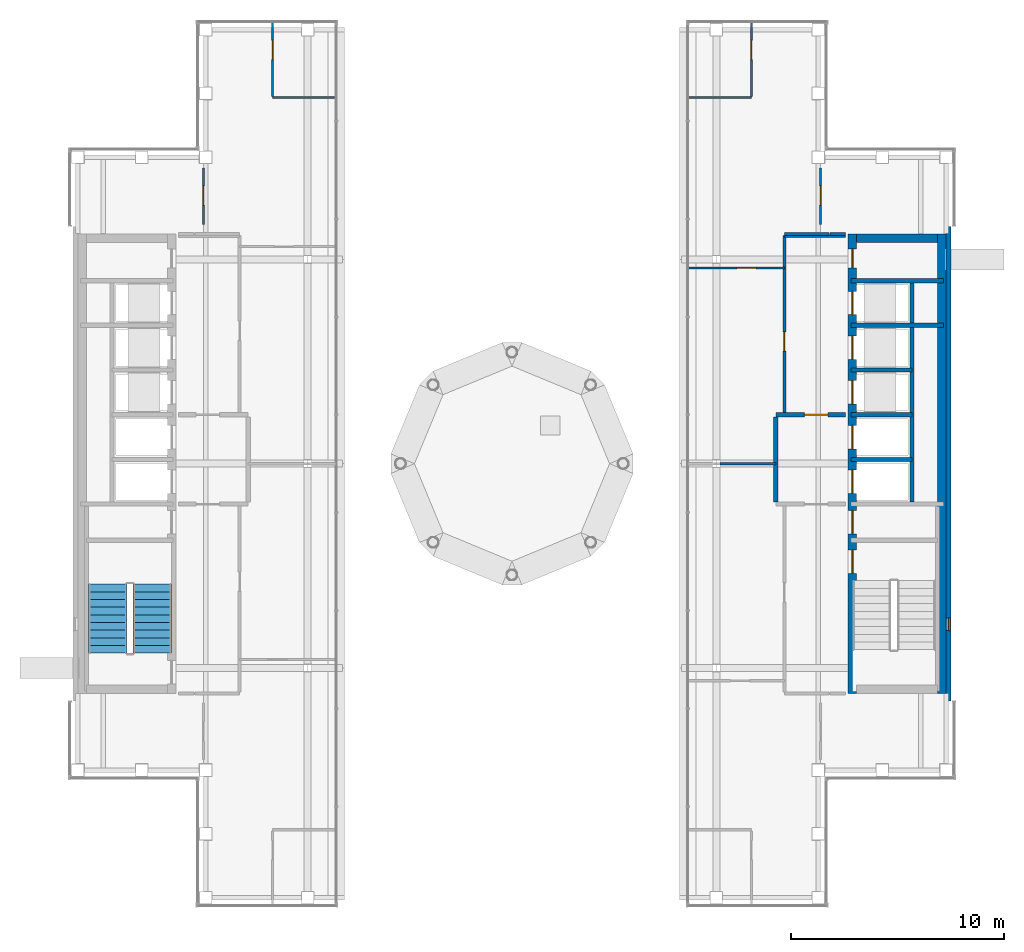
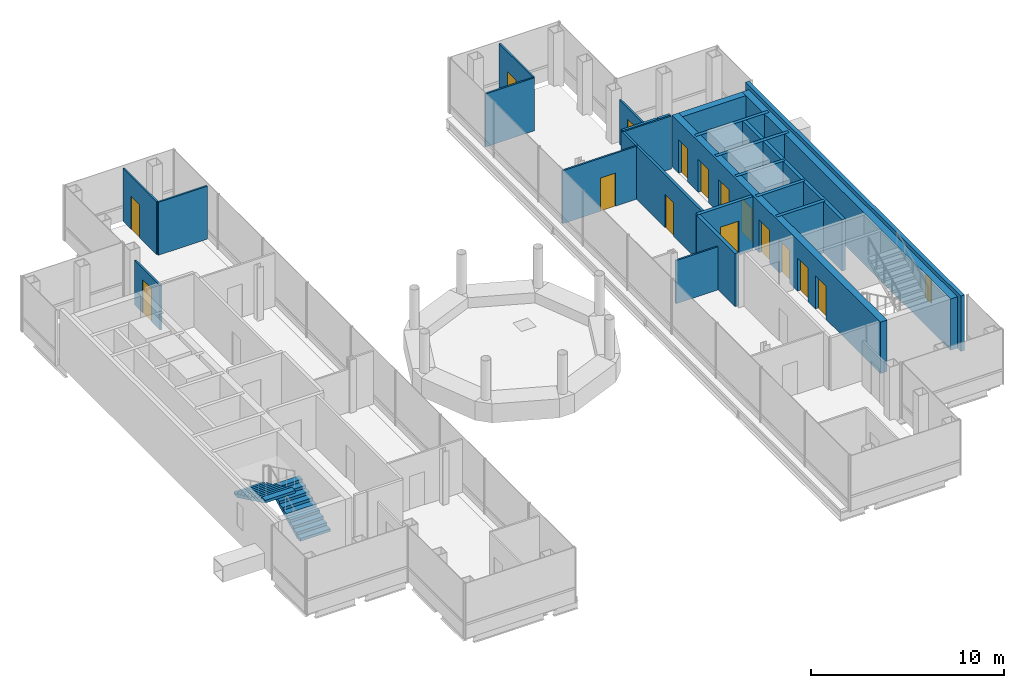
# One storey, part 13 of 16: 25 walls, 15 doors, 2 stair flights, 1 window, 16 openings, 1 element without a shape of its own.
"""IFC4 building model written with IfcOpenShell, lengths in metres."""

from ifc_helpers import new_model, si_unit, direction, frame, frame_2d, origin, place, context, subcontext, project, spatial, polyline, rectangle, outline, extrude, material, layer, layer_set, type_object, element, fill, aggregate, save


model = new_model("IFC4")

# Units and contexts
model_context = context("Model", 3, precision=1e-05, world=origin(), true_north=direction((0.0, 1.0)))
body_context = subcontext(model_context, "Body", "Model", "MODEL_VIEW")
ifc_project = project(units=[si_unit("LENGTHUNIT", "METRE"), si_unit("AREAUNIT", "SQUARE_METRE"), si_unit("VOLUMEUNIT", "CUBIC_METRE"), si_unit("PLANEANGLEUNIT", "RADIAN"), si_unit("MASSUNIT", "GRAM", prefix="KILO")], contexts=[model_context])

# Site, building, storey
site_placement = place(None, origin())
site = spatial("IfcSite", under=ifc_project, at=site_placement, CompositionType="ELEMENT")
building_placement = place(site_placement, origin())
building = spatial("IfcBuilding", under=site, at=building_placement, Name="Cobrizo Arcos Hotel Tower", CompositionType="ELEMENT")
storey_placement = place(building_placement, frame((0.0, 0.0, 272.5)))
storey = spatial("IfcBuildingStorey", under=building, at=storey_placement, Name="L72", CompositionType="ELEMENT", Elevation=272.5)

# Walls
ifc_material_1 = material(Name="Gypsum board partition")
ifc_layer_1 = layer(ifc_material_1, 0.14990234375)
ifc_layer_set_1 = layer_set([ifc_layer_1], Name="Corridor wall EI 60 150")
wall_type_1 = type_object("IfcWallType", Name="Corridor wall EI 60 150", PredefinedType="PARTITIONING", material=ifc_layer_set_1)
wall_1_placement = place(storey_placement, frame((12.800048828125, 10.699951171875, 0.0), z_axis=(0.0, 0.0, 1.0), x_axis=(1.0, 0.0, 0.0)))
element("IfcWall", 1, at=wall_1_placement, inside=storey, type_object=wall_type_1, Name="Partition 034", PredefinedType="PARTITIONING", context=body_context, shape_type="SweptSolid", body=[
    extrude(rectangle(XDim=2.8798828125, YDim=0.14990234375, at=frame_2d((1.43994140625, 0.0))), origin(), (0.0, 0.0, 1.0), 3.35009765625),
])
wall_2_placement = place(storey_placement, frame((12.800048828125, 10.800048828125, 0.0), z_axis=(0.0, 0.0, 1.0), x_axis=(1.0, 0.0, 0.0)))
element("IfcWall", 2, at=wall_2_placement, inside=storey, type_object=wall_type_1, Name="Partition 037", PredefinedType="PARTITIONING", context=body_context, shape_type="SweptSolid", body=[
    extrude(rectangle(XDim=2.099853515625, YDim=0.14990234375, at=frame_2d((1.0498046875, 0.0))), origin(), (0.0, 0.0, 1.0), 3.35009765625),
])
wall_3_placement = place(storey_placement, frame((14.949951171875, 10.800048828125, 0.0), z_axis=(0.0, 0.0, 1.0), x_axis=(1.0, 0.0, 0.0)))
element("IfcWall", 3, at=wall_3_placement, inside=storey, type_object=wall_type_1, Name="Partition 038", PredefinedType="PARTITIONING", context=body_context, shape_type="SweptSolid", body=[
    extrude(rectangle(XDim=0.72998046875, YDim=0.14990234375, at=frame_2d((0.364990234375, 0.0))), origin(), (0.0, 0.0, 1.0), 3.35009765625),
])

# Wall, opening, door
wall_4_placement = place(storey_placement, frame((12.800048828125, 2.39990234375, 0.0), z_axis=(0.0, 0.0, 1.0), x_axis=(0.0, 1.0, 0.0)))
wall_4 = element("IfcWall", 4, at=wall_4_placement, inside=storey, type_object=wall_type_1, Name="Partition 055", PredefinedType="PARTITIONING", context=body_context, shape_type="SweptSolid", body=[
    extrude(rectangle(XDim=8.3251953125, YDim=0.14990234375, at=frame_2d((4.16259765625, 0.0))), origin(), (0.0, 0.0, 1.0), 3.35009765625),
])
opening_1_placement = place(wall_4_placement, frame((2.889892578125, 0.0, 0.0)))
opening_1 = element("IfcOpeningElement", 5, at=opening_1_placement, cuts=wall_4, Name="Opening RD-03", PredefinedType="OPENING", context=body_context, shape_type="SweptSolid", body=[
    extrude(rectangle(XDim=0.89990234375, YDim=2.10009765625, at=frame_2d((0.449951171875, 1.050048828125))), frame((0.0, 0.0869140625, 0.0), z_axis=(0.0, -1.0, 0.0), x_axis=(1.0, 0.0, 0.0)), (0.0, 0.0, 1.0), 0.173828125),
])
ifc_material_2 = material(Name="Timber door leaf", Category="wood")
door_type_1 = type_object("IfcDoorType", Name="Room door FD30 900x2100", OperationType="SINGLE_SWING_LEFT", PredefinedType="DOOR", material=ifc_material_2)
door_1_placement = place(opening_1_placement, origin())
door_1 = element("IfcDoor", 6, at=door_1_placement, inside=storey, type_object=door_type_1, Name="Door RD-03", OperationType="SINGLE_SWING_LEFT", OverallHeight=2.10009765625, OverallWidth=0.89990234375, PredefinedType="DOOR", context=body_context, shape_type="SweptSolid", body=[
    extrude(rectangle(XDim=0.89990234375, YDim=2.10009765625, at=frame_2d((0.449951171875, 1.050048828125))), frame((0.0, 0.02490234375, 0.0), z_axis=(0.0, -1.0, 0.0), x_axis=(1.0, 0.0, 0.0)), (0.0, 0.0, 1.0), 0.050048828125),
])
fill(opening_1, door_1)

# Wall, opening, window
ifc_material_3 = material(Name="Aluminium composite panel pale metal", Category="aluminium")
ifc_layer_2 = layer(ifc_material_3, 0.22509765625)
ifc_layer_set_2 = layer_set([ifc_layer_2], Name="EW-1 insulated panel wall 225")
wall_type_2 = type_object("IfcWallType", Name="EW-1 insulated panel wall 225", PredefinedType="SOLIDWALL", material=ifc_layer_set_2)
wall_5_placement = place(storey_placement, frame((20.512451171875, -11.14990234375, 0.0), z_axis=(0.0, 0.0, 1.0), x_axis=(0.0, 1.0, 0.0)))
wall_5 = element("IfcWall", 7, at=wall_5_placement, inside=storey, type_object=wall_type_2, Name="Core face wall L72 E", PredefinedType="SOLIDWALL", context=body_context, shape_type="SweptSolid", body=[
    extrude(rectangle(XDim=22.2998046875, YDim=0.22509765625, at=frame_2d((11.14990234375, 0.0))), origin(), (0.0, 0.0, 1.0), 3.5),
])
opening_2_placement = place(wall_5_placement, frame((3.300048828125, 0.0, 1.0)))
opening_2 = element("IfcOpeningElement", 8, at=opening_2_placement, cuts=wall_5, Name="Opening W-163", PredefinedType="OPENING", context=body_context, shape_type="SweptSolid", body=[
    extrude(rectangle(XDim=0.60009765625, YDim=1.5, at=frame_2d((0.300048828125, 0.75))), frame((0.0, 0.12451171875, 0.0), z_axis=(0.0, -1.0, 0.0), x_axis=(1.0, 0.0, 0.0)), (0.0, 0.0, 1.0), 0.2490234375),
])
ifc_material_4 = material(Name="Aluminium 6063-T6 and clear laminated glass", Category="aluminium")
window_type = type_object("IfcWindowType", Name="W-C1 core stair slot window 600x1500", PartitioningType="SINGLE_PANEL", PredefinedType="WINDOW", material=ifc_material_4)
window_placement = place(opening_2_placement, origin())
window = element("IfcWindow", 9, at=window_placement, inside=storey, type_object=window_type, Name="Core face wall L72 E window W-163", OverallHeight=1.5, OverallWidth=0.60009765625, PartitioningType="SINGLE_PANEL", PredefinedType="WINDOW", context=body_context, shape_type="SweptSolid", body=[
    extrude(rectangle(XDim=0.60009765625, YDim=1.5, at=frame_2d((0.300048828125, 0.75))), frame((0.0, -0.0224609375, 0.0), z_axis=(0.0, -1.0, 0.0), x_axis=(1.0, 0.0, 0.0)), (0.0, 0.0, 1.0), 0.06005859375),
])
fill(opening_2, window)

# Wall
ifc_layer_3 = layer(ifc_material_1, 0.10009765625)
ifc_layer_set_3 = layer_set([ifc_layer_3], Name="Partition EI 30 100")
wall_type_3 = type_object("IfcWallType", Name="Partition EI 30 100", PredefinedType="PARTITIONING", material=ifc_layer_set_3)
wall_6_placement = place(storey_placement, frame((9.783935546875, 0.0, 0.0), z_axis=(0.0, 0.0, 1.0), x_axis=(1.0, 0.0, 0.0)))
element("IfcWall", 10, at=wall_6_placement, inside=storey, type_object=wall_type_3, Name="Partition 018", PredefinedType="PARTITIONING", context=body_context, shape_type="SweptSolid", body=[
    extrude(rectangle(XDim=2.615966796875, YDim=0.10009765625, at=frame_2d((1.30810546875, 0.0))), origin(), (0.0, 0.0, 1.0), 2.72802734375),
])

# Wall, opening, door
wall_7_placement = place(storey_placement, frame((8.304931640625, 9.199951171875, 0.0), z_axis=(0.0, 0.0, 1.0), x_axis=(1.0, 0.0, 0.0)))
wall_7 = element("IfcWall", 11, at=wall_7_placement, inside=storey, type_object=wall_type_3, Name="Partition 031", PredefinedType="PARTITIONING", context=body_context, shape_type="SweptSolid", body=[
    extrude(rectangle(XDim=4.4951171875, YDim=0.10009765625, at=frame_2d((2.24755859375, 0.0))), origin(), (0.0, 0.0, 1.0), 3.35009765625),
])
opening_3_placement = place(wall_7_placement, frame((2.262939453125, 0.0, 0.0)))
opening_3 = element("IfcOpeningElement", 12, at=opening_3_placement, cuts=wall_7, Name="Opening RD-04", PredefinedType="OPENING", context=body_context, shape_type="SweptSolid", body=[
    extrude(rectangle(XDim=0.89990234375, YDim=2.10009765625, at=frame_2d((0.449951171875, 1.050048828125))), frame((0.0, 0.06201171875, 0.0), z_axis=(0.0, -1.0, 0.0), x_axis=(1.0, 0.0, 0.0)), (0.0, 0.0, 1.0), 0.1240234375),
])
door_2_placement = place(opening_3_placement, origin())
door_2 = element("IfcDoor", 13, at=door_2_placement, inside=storey, type_object=door_type_1, Name="Door RD-04", OperationType="SINGLE_SWING_LEFT", OverallHeight=2.10009765625, OverallWidth=0.89990234375, PredefinedType="DOOR", context=body_context, shape_type="SweptSolid", body=[
    extrude(rectangle(XDim=0.89990234375, YDim=2.10009765625, at=frame_2d((0.449951171875, 1.050048828125))), frame((0.0, 0.02490234375, 0.0), z_axis=(0.0, -1.0, 0.0), x_axis=(1.0, 0.0, 0.0)), (0.0, 0.0, 1.0), 0.050048828125),
])
fill(opening_3, door_2)

# Walls
for number, where, z_axis, x_axis, name in (
    (14, (-11.25, 17.199951171875, 0.0), (0.0, 0.0, 1.0), (1.0, 0.0, 0.0), "Partition 039"),
    (15, (8.304931640625, 17.199951171875, 0.0), (0.0, 0.0, 1.0), (1.0, 0.0, 0.0), "Partition 040"),
):
    element("IfcWall", number, at=place(storey_placement, frame(where, z_axis=z_axis, x_axis=x_axis)), inside=storey, type_object=wall_type_3, Name=name, PredefinedType="PARTITIONING", context=body_context, shape_type="SweptSolid", body=[
        extrude(rectangle(XDim=2.945068359375, YDim=0.10009765625, at=frame_2d((1.47265625, 0.0))), origin(), (0.0, 0.0, 1.0), 3.35009765625),
    ])

# Wall, opening, door
wall_8_placement = place(storey_placement, frame((-14.5, 11.25, 0.0), z_axis=(0.0, 0.0, 1.0), x_axis=(0.0, 1.0, 0.0)))
wall_8 = element("IfcWall", 16, at=wall_8_placement, inside=storey, type_object=wall_type_3, Name="Partition 045", PredefinedType="PARTITIONING", context=body_context, shape_type="SweptSolid", body=[
    extrude(rectangle(XDim=2.64990234375, YDim=0.10009765625, at=frame_2d((1.324951171875, 0.0))), origin(), (0.0, 0.0, 1.0), 2.81689453125),
])
opening_4_placement = place(wall_8_placement, frame((0.89990234375, 0.0, 0.0)))
opening_4 = element("IfcOpeningElement", 17, at=opening_4_placement, cuts=wall_8, Name="Opening RD-11", PredefinedType="OPENING", context=body_context, shape_type="SweptSolid", body=[
    extrude(rectangle(XDim=0.89990234375, YDim=2.10009765625, at=frame_2d((0.449951171875, 1.050048828125))), frame((0.0, 0.06201171875, 0.0), z_axis=(0.0, -1.0, 0.0), x_axis=(1.0, 0.0, 0.0)), (0.0, 0.0, 1.0), 0.1240234375),
])
door_3_placement = place(opening_4_placement, origin())
door_3 = element("IfcDoor", 18, at=door_3_placement, inside=storey, type_object=door_type_1, Name="Door RD-11", OperationType="SINGLE_SWING_LEFT", OverallHeight=2.10009765625, OverallWidth=0.89990234375, PredefinedType="DOOR", context=body_context, shape_type="SweptSolid", body=[
    extrude(rectangle(XDim=0.89990234375, YDim=2.10009765625, at=frame_2d((0.449951171875, 1.050048828125))), frame((0.0, 0.02490234375, 0.0), z_axis=(0.0, -1.0, 0.0), x_axis=(1.0, 0.0, 0.0)), (0.0, 0.0, 1.0), 0.050048828125),
])
fill(opening_4, door_3)

wall_9_placement = place(storey_placement, frame((-11.25, 17.25, 0.0), z_axis=(0.0, 0.0, 1.0), x_axis=(0.0, 1.0, 0.0)))
wall_9 = element("IfcWall", 19, at=wall_9_placement, inside=storey, type_object=wall_type_3, Name="Partition 050", PredefinedType="PARTITIONING", context=body_context, shape_type="SweptSolid", body=[
    extrude(rectangle(XDim=3.47998046875, YDim=0.10009765625, at=frame_2d((1.739990234375, 0.0))), origin(), (0.0, 0.0, 1.0), 3.35009765625),
])
opening_5_placement = place(wall_9_placement, frame((1.739990234375, 0.0, 0.0)))
opening_5 = element("IfcOpeningElement", 20, at=opening_5_placement, cuts=wall_9, Name="Opening ED-03", PredefinedType="OPENING", context=body_context, shape_type="SweptSolid", body=[
    extrude(rectangle(XDim=0.89990234375, YDim=2.10009765625, at=frame_2d((0.449951171875, 1.050048828125))), frame((0.0, 0.06201171875, 0.0), z_axis=(0.0, -1.0, 0.0), x_axis=(1.0, 0.0, 0.0)), (0.0, 0.0, 1.0), 0.1240234375),
])
door_type_2 = type_object("IfcDoorType", Name="En-suite door 900x2100", OperationType="SINGLE_SWING_LEFT", PredefinedType="DOOR", material=ifc_material_2)
door_4_placement = place(opening_5_placement, origin())
door_4 = element("IfcDoor", 21, at=door_4_placement, inside=storey, type_object=door_type_2, Name="Door ED-03", OperationType="SINGLE_SWING_RIGHT", OverallHeight=2.10009765625, OverallWidth=0.89990234375, PredefinedType="DOOR", context=body_context, shape_type="SweptSolid", body=[
    extrude(rectangle(XDim=0.89990234375, YDim=2.10009765625, at=frame_2d((0.449951171875, 1.050048828125))), frame((0.0, 0.02490234375, 0.0), z_axis=(0.0, -1.0, 0.0), x_axis=(1.0, 0.0, 0.0)), (0.0, 0.0, 1.0), 0.050048828125),
])
fill(opening_5, door_4)

wall_10_placement = place(storey_placement, frame((11.25, 17.25, 0.0), z_axis=(0.0, 0.0, 1.0), x_axis=(0.0, 1.0, 0.0)))
wall_10 = element("IfcWall", 22, at=wall_10_placement, inside=storey, type_object=wall_type_3, Name="Partition 052", PredefinedType="PARTITIONING", context=body_context, shape_type="SweptSolid", body=[
    extrude(rectangle(XDim=3.47998046875, YDim=0.10009765625, at=frame_2d((1.739990234375, 0.0))), origin(), (0.0, 0.0, 1.0), 3.35009765625),
])
opening_6_placement = place(wall_10_placement, frame((1.739990234375, 0.0, 0.0)))
opening_6 = element("IfcOpeningElement", 23, at=opening_6_placement, cuts=wall_10, Name="Opening ED-01", PredefinedType="OPENING", context=body_context, shape_type="SweptSolid", body=[
    extrude(rectangle(XDim=0.89990234375, YDim=2.10009765625, at=frame_2d((0.449951171875, 1.050048828125))), frame((0.0, 0.06201171875, 0.0), z_axis=(0.0, -1.0, 0.0), x_axis=(1.0, 0.0, 0.0)), (0.0, 0.0, 1.0), 0.1240234375),
])
door_5_placement = place(opening_6_placement, origin())
door_5 = element("IfcDoor", 24, at=door_5_placement, inside=storey, type_object=door_type_2, Name="Door ED-01", OperationType="SINGLE_SWING_RIGHT", OverallHeight=2.10009765625, OverallWidth=0.89990234375, PredefinedType="DOOR", context=body_context, shape_type="SweptSolid", body=[
    extrude(rectangle(XDim=0.89990234375, YDim=2.10009765625, at=frame_2d((0.449951171875, 1.050048828125))), frame((0.0, 0.02490234375, 0.0), z_axis=(0.0, -1.0, 0.0), x_axis=(1.0, 0.0, 0.0)), (0.0, 0.0, 1.0), 0.050048828125),
])
fill(opening_6, door_5)

wall_11_placement = place(storey_placement, frame((14.5, 11.25, 0.0), z_axis=(0.0, 0.0, 1.0), x_axis=(0.0, 1.0, 0.0)))
wall_11 = element("IfcWall", 25, at=wall_11_placement, inside=storey, type_object=wall_type_3, Name="Partition 057", PredefinedType="PARTITIONING", context=body_context, shape_type="SweptSolid", body=[
    extrude(rectangle(XDim=2.64990234375, YDim=0.10009765625, at=frame_2d((1.324951171875, 0.0))), origin(), (0.0, 0.0, 1.0), 2.81689453125),
])
opening_7_placement = place(wall_11_placement, frame((0.89990234375, 0.0, 0.0)))
opening_7 = element("IfcOpeningElement", 26, at=opening_7_placement, cuts=wall_11, Name="Opening RD-05", PredefinedType="OPENING", context=body_context, shape_type="SweptSolid", body=[
    extrude(rectangle(XDim=0.89990234375, YDim=2.10009765625, at=frame_2d((0.449951171875, 1.050048828125))), frame((0.0, 0.06201171875, 0.0), z_axis=(0.0, -1.0, 0.0), x_axis=(1.0, 0.0, 0.0)), (0.0, 0.0, 1.0), 0.1240234375),
])
door_6_placement = place(opening_7_placement, origin())
door_6 = element("IfcDoor", 27, at=door_6_placement, inside=storey, type_object=door_type_1, Name="Door RD-05", OperationType="SINGLE_SWING_LEFT", OverallHeight=2.10009765625, OverallWidth=0.89990234375, PredefinedType="DOOR", context=body_context, shape_type="SweptSolid", body=[
    extrude(rectangle(XDim=0.89990234375, YDim=2.10009765625, at=frame_2d((0.449951171875, 1.050048828125))), frame((0.0, 0.02490234375, 0.0), z_axis=(0.0, -1.0, 0.0), x_axis=(1.0, 0.0, 0.0)), (0.0, 0.0, 1.0), 0.050048828125),
])
fill(opening_7, door_6)

# Wall, openings, doors
ifc_material_5 = material(Name="Concrete f'c 40 MPa", Category="concrete")
ifc_layer_4 = layer(ifc_material_5, 0.39990234375)
ifc_layer_set_4 = layer_set([ifc_layer_4], Name="RC core wall 400 f'c 40")
wall_type_4 = type_object("IfcWallType", Name="RC core wall 400 f'c 40", PredefinedType="SHEAR", material=ifc_layer_set_4)
wall_12_placement = place(storey_placement, frame((16.0, -10.800048828125, 0.0), z_axis=(0.0, 0.0, 1.0), x_axis=(0.0, 1.0, 0.0)))
wall_12 = element("IfcWall", 28, at=wall_12_placement, inside=storey, type_object=wall_type_4, Name="Core wall CW4, east core, inner face, L72", PredefinedType="SHEAR", context=body_context, shape_type="SweptSolid", body=[
    extrude(rectangle(XDim=21.60009765625, YDim=0.39990234375, at=frame_2d((10.800048828125, 0.0))), origin(), (0.0, 0.0, 1.0), 3.25),
])
opening_8_placement = place(wall_12_placement, frame((9.39990234375, 0.0, 0.0)))
opening_8 = element("IfcOpeningElement", 29, at=opening_8_placement, cuts=wall_12, Name="Opening LD-06", PredefinedType="OPENING", context=body_context, shape_type="SweptSolid", body=[
    extrude(rectangle(XDim=1.10009765625, YDim=2.10009765625, at=frame_2d((0.550048828125, 1.050048828125))), frame((0.0, 0.2119140625, 0.0), z_axis=(0.0, -1.0, 0.0), x_axis=(1.0, 0.0, 0.0)), (0.0, 0.0, 1.0), 0.423828125),
])
opening_9_placement = place(wall_12_placement, frame((11.5, 0.0, 0.0)))
opening_9 = element("IfcOpeningElement", 30, at=opening_9_placement, cuts=wall_12, Name="Opening LD-07", PredefinedType="OPENING", context=body_context, shape_type="SweptSolid", body=[
    extrude(rectangle(XDim=1.10009765625, YDim=2.10009765625, at=frame_2d((0.550048828125, 1.050048828125))), frame((0.0, 0.2119140625, 0.0), z_axis=(0.0, -1.0, 0.0), x_axis=(1.0, 0.0, 0.0)), (0.0, 0.0, 1.0), 0.423828125),
])
opening_10_placement = place(wall_12_placement, frame((13.60009765625, 0.0, 0.0)))
opening_10 = element("IfcOpeningElement", 31, at=opening_10_placement, cuts=wall_12, Name="Opening LD-08", PredefinedType="OPENING", context=body_context, shape_type="SweptSolid", body=[
    extrude(rectangle(XDim=1.10009765625, YDim=2.10009765625, at=frame_2d((0.550048828125, 1.050048828125))), frame((0.0, 0.2119140625, 0.0), z_axis=(0.0, -1.0, 0.0), x_axis=(1.0, 0.0, 0.0)), (0.0, 0.0, 1.0), 0.423828125),
])
opening_11_placement = place(wall_12_placement, frame((15.699951171875, 0.0, 0.0)))
opening_11 = element("IfcOpeningElement", 32, at=opening_11_placement, cuts=wall_12, Name="Opening LD-09", PredefinedType="OPENING", context=body_context, shape_type="SweptSolid", body=[
    extrude(rectangle(XDim=1.10009765625, YDim=2.10009765625, at=frame_2d((0.550048828125, 1.050048828125))), frame((0.0, 0.2119140625, 0.0), z_axis=(0.0, -1.0, 0.0), x_axis=(1.0, 0.0, 0.0)), (0.0, 0.0, 1.0), 0.423828125),
])
opening_12_placement = place(wall_12_placement, frame((17.800048828125, 0.0, 0.0)))
opening_12 = element("IfcOpeningElement", 33, at=opening_12_placement, cuts=wall_12, Name="Opening LD-10", PredefinedType="OPENING", context=body_context, shape_type="SweptSolid", body=[
    extrude(rectangle(XDim=1.10009765625, YDim=2.10009765625, at=frame_2d((0.550048828125, 1.050048828125))), frame((0.0, 0.2119140625, 0.0), z_axis=(0.0, -1.0, 0.0), x_axis=(1.0, 0.0, 0.0)), (0.0, 0.0, 1.0), 0.423828125),
])
opening_13_placement = place(wall_12_placement, frame((5.64208984375, 0.0, 0.0)))
opening_13 = element("IfcOpeningElement", 34, at=opening_13_placement, cuts=wall_12, Name="Opening SD-02", PredefinedType="OPENING", context=body_context, shape_type="SweptSolid", body=[
    extrude(rectangle(XDim=1.10009765625, YDim=2.10009765625, at=frame_2d((0.550048828125, 1.050048828125))), frame((0.0, 0.2119140625, 0.0), z_axis=(0.0, -1.0, 0.0), x_axis=(1.0, 0.0, 0.0)), (0.0, 0.0, 1.0), 0.423828125),
])
opening_14_placement = place(wall_12_placement, frame((7.5, 0.0, 0.0)))
opening_14 = element("IfcOpeningElement", 35, at=opening_14_placement, cuts=wall_12, Name="Opening FD-04", PredefinedType="OPENING", context=body_context, shape_type="SweptSolid", body=[
    extrude(rectangle(XDim=1.10009765625, YDim=2.10009765625, at=frame_2d((0.550048828125, 1.050048828125))), frame((0.0, 0.2119140625, 0.0), z_axis=(0.0, -1.0, 0.0), x_axis=(1.0, 0.0, 0.0)), (0.0, 0.0, 1.0), 0.423828125),
])
opening_15_placement = place(wall_12_placement, frame((20.0, 0.0, 0.0)))
opening_15 = element("IfcOpeningElement", 36, at=opening_15_placement, cuts=wall_12, Name="Opening RD-02", PredefinedType="OPENING", context=body_context, shape_type="SweptSolid", body=[
    extrude(rectangle(XDim=0.89990234375, YDim=2.10009765625, at=frame_2d((0.449951171875, 1.050048828125))), frame((0.0, 0.2119140625, 0.0), z_axis=(0.0, -1.0, 0.0), x_axis=(1.0, 0.0, 0.0)), (0.0, 0.0, 1.0), 0.423828125),
])
ifc_material_6 = material(Name="Steel door leaf", Category="steel")
door_type_3 = type_object("IfcDoorType", Name="Fire door FD60 1100x2100", OperationType="SINGLE_SWING_LEFT", PredefinedType="DOOR", material=ifc_material_6)
door_7_placement = place(opening_14_placement, origin())
door_7 = element("IfcDoor", 37, at=door_7_placement, inside=storey, type_object=door_type_3, Name="Door FD-04", OperationType="SINGLE_SWING_RIGHT", OverallHeight=2.10009765625, OverallWidth=1.10009765625, PredefinedType="DOOR", context=body_context, shape_type="SweptSolid", body=[
    extrude(rectangle(XDim=1.10009765625, YDim=2.10009765625, at=frame_2d((0.550048828125, 1.050048828125))), frame((0.0, 0.02490234375, 0.0), z_axis=(0.0, -1.0, 0.0), x_axis=(1.0, 0.0, 0.0)), (0.0, 0.0, 1.0), 0.050048828125),
])
fill(opening_14, door_7)
door_type_4 = type_object("IfcDoorType", Name="Lift landing door 1100x2100", OperationType="SLIDING_TO_LEFT", PredefinedType="DOOR", material=ifc_material_6)
door_8_placement = place(opening_8_placement, origin())
door_8 = element("IfcDoor", 38, at=door_8_placement, inside=storey, type_object=door_type_4, Name="Lift landing door LD-06", OperationType="SLIDING_TO_LEFT", OverallHeight=2.10009765625, OverallWidth=1.10009765625, PredefinedType="DOOR", context=body_context, shape_type="SweptSolid", body=[
    extrude(rectangle(XDim=1.10009765625, YDim=2.10009765625, at=frame_2d((0.550048828125, 1.050048828125))), frame((0.0, 0.02490234375, 0.0), z_axis=(0.0, -1.0, 0.0), x_axis=(1.0, 0.0, 0.0)), (0.0, 0.0, 1.0), 0.050048828125),
])
fill(opening_8, door_8)
door_9_placement = place(opening_9_placement, origin())
door_9 = element("IfcDoor", 39, at=door_9_placement, inside=storey, type_object=door_type_4, Name="Lift landing door LD-07", OperationType="SLIDING_TO_LEFT", OverallHeight=2.10009765625, OverallWidth=1.10009765625, PredefinedType="DOOR", context=body_context, shape_type="SweptSolid", body=[
    extrude(rectangle(XDim=1.10009765625, YDim=2.10009765625, at=frame_2d((0.550048828125, 1.050048828125))), frame((0.0, 0.02490234375, 0.0), z_axis=(0.0, -1.0, 0.0), x_axis=(1.0, 0.0, 0.0)), (0.0, 0.0, 1.0), 0.050048828125),
])
fill(opening_9, door_9)
door_10_placement = place(opening_10_placement, origin())
door_10 = element("IfcDoor", 40, at=door_10_placement, inside=storey, type_object=door_type_4, Name="Lift landing door LD-08", OperationType="SLIDING_TO_LEFT", OverallHeight=2.10009765625, OverallWidth=1.10009765625, PredefinedType="DOOR", context=body_context, shape_type="SweptSolid", body=[
    extrude(rectangle(XDim=1.10009765625, YDim=2.10009765625, at=frame_2d((0.550048828125, 1.050048828125))), frame((0.0, 0.02490234375, 0.0), z_axis=(0.0, -1.0, 0.0), x_axis=(1.0, 0.0, 0.0)), (0.0, 0.0, 1.0), 0.050048828125),
])
fill(opening_10, door_10)
door_11_placement = place(opening_11_placement, origin())
door_11 = element("IfcDoor", 41, at=door_11_placement, inside=storey, type_object=door_type_4, Name="Lift landing door LD-09", OperationType="SLIDING_TO_LEFT", OverallHeight=2.10009765625, OverallWidth=1.10009765625, PredefinedType="DOOR", context=body_context, shape_type="SweptSolid", body=[
    extrude(rectangle(XDim=1.10009765625, YDim=2.10009765625, at=frame_2d((0.550048828125, 1.050048828125))), frame((0.0, 0.02490234375, 0.0), z_axis=(0.0, -1.0, 0.0), x_axis=(1.0, 0.0, 0.0)), (0.0, 0.0, 1.0), 0.050048828125),
])
fill(opening_11, door_11)
door_12_placement = place(opening_12_placement, origin())
door_12 = element("IfcDoor", 42, at=door_12_placement, inside=storey, type_object=door_type_4, Name="Lift landing door LD-10", OperationType="SLIDING_TO_LEFT", OverallHeight=2.10009765625, OverallWidth=1.10009765625, PredefinedType="DOOR", context=body_context, shape_type="SweptSolid", body=[
    extrude(rectangle(XDim=1.10009765625, YDim=2.10009765625, at=frame_2d((0.550048828125, 1.050048828125))), frame((0.0, 0.02490234375, 0.0), z_axis=(0.0, -1.0, 0.0), x_axis=(1.0, 0.0, 0.0)), (0.0, 0.0, 1.0), 0.050048828125),
])
fill(opening_12, door_12)
door_13_placement = place(opening_15_placement, origin())
door_13 = element("IfcDoor", 43, at=door_13_placement, inside=storey, type_object=door_type_1, Name="Door RD-02", OperationType="SINGLE_SWING_RIGHT", OverallHeight=2.10009765625, OverallWidth=0.89990234375, PredefinedType="DOOR", context=body_context, shape_type="SweptSolid", body=[
    extrude(rectangle(XDim=0.89990234375, YDim=2.10009765625, at=frame_2d((0.449951171875, 1.050048828125))), frame((0.0, 0.02490234375, 0.0), z_axis=(0.0, -1.0, 0.0), x_axis=(1.0, 0.0, 0.0)), (0.0, 0.0, 1.0), 0.050048828125),
])
fill(opening_15, door_13)
door_type_5 = type_object("IfcDoorType", Name="Stair door FD60S 1100x2100", OperationType="SINGLE_SWING_LEFT", PredefinedType="DOOR", material=ifc_material_6)
door_14_placement = place(opening_13_placement, origin())
door_14 = element("IfcDoor", 44, at=door_14_placement, inside=storey, type_object=door_type_5, Name="Door SD-02", OperationType="SINGLE_SWING_RIGHT", OverallHeight=2.10009765625, OverallWidth=1.10009765625, PredefinedType="DOOR", context=body_context, shape_type="SweptSolid", body=[
    extrude(rectangle(XDim=1.10009765625, YDim=2.10009765625, at=frame_2d((0.550048828125, 1.050048828125))), frame((0.0, 0.02490234375, 0.0), z_axis=(0.0, -1.0, 0.0), x_axis=(1.0, 0.0, 0.0)), (0.0, 0.0, 1.0), 0.050048828125),
])
fill(opening_13, door_14)

# Walls
wall_13_placement = place(storey_placement, frame((20.199951171875, -10.800048828125, 0.0), z_axis=(0.0, 0.0, 1.0), x_axis=(0.0, 1.0, 0.0)))
element("IfcWall", 45, at=wall_13_placement, inside=storey, type_object=wall_type_4, Name="Core wall CW4, east core, outer face, L72", PredefinedType="SHEAR", context=body_context, shape_type="SweptSolid", body=[
    extrude(rectangle(XDim=21.60009765625, YDim=0.39990234375, at=frame_2d((10.800048828125, 0.0))), origin(), (0.0, 0.0, 1.0), 3.25),
])
wall_14_placement = place(storey_placement, frame((16.199951171875, 10.60009765625, 0.0), z_axis=(0.0, 0.0, 1.0), x_axis=(1.0, 0.0, 0.0)))
element("IfcWall", 46, at=wall_14_placement, inside=storey, type_object=wall_type_4, Name="Core wall CW4, east core, north end, L72", PredefinedType="SHEAR", context=body_context, shape_type="SweptSolid", body=[
    extrude(rectangle(XDim=3.800048828125, YDim=0.39990234375, at=frame_2d((1.89990234375, 0.0))), origin(), (0.0, 0.0, 1.0), 3.25),
])
ifc_layer_5 = layer(ifc_material_1, 0.199951171875)
ifc_layer_set_5 = layer_set([ifc_layer_5], Name="Shaft wall EI 120 200")
wall_type_5 = type_object("IfcWallType", Name="Shaft wall EI 120 200", PredefinedType="PARTITIONING", material=ifc_layer_set_5)
wall_15_placement = place(storey_placement, frame((15.919921875, 0.199951171875, 0.0), z_axis=(0.0, 0.0, 1.0), x_axis=(1.0, 0.0, 0.0)))
element("IfcWall", 47, at=wall_15_placement, inside=storey, type_object=wall_type_5, Name="Partition 020", PredefinedType="PARTITIONING", context=body_context, shape_type="SweptSolid", body=[
    extrude(rectangle(XDim=2.880126953125, YDim=0.199951171875, at=frame_2d((1.43994140625, 0.0))), origin(), (0.0, 0.0, 1.0), 3.25),
])

# Wall, opening, door
wall_16_placement = place(storey_placement, frame((12.39990234375, 2.300048828125, 0.0), z_axis=(0.0, 0.0, 1.0), x_axis=(1.0, 0.0, 0.0)))
wall_16 = element("IfcWall", 48, at=wall_16_placement, inside=storey, type_object=wall_type_5, Name="Partition 023", PredefinedType="PARTITIONING", context=body_context, shape_type="SweptSolid", body=[
    extrude(rectangle(XDim=3.280029296875, YDim=0.199951171875, at=frame_2d((1.64013671875, 0.0))), origin(), (0.0, 0.0, 1.0), 3.35009765625),
])
opening_16_placement = place(wall_16_placement, frame((1.340087890625, 0.0, 0.0)))
opening_16 = element("IfcOpeningElement", 49, at=opening_16_placement, cuts=wall_16, Name="Opening FD-05", PredefinedType="OPENING", context=body_context, shape_type="SweptSolid", body=[
    extrude(rectangle(XDim=1.10009765625, YDim=2.10009765625, at=frame_2d((0.550048828125, 1.050048828125))), frame((0.0, 0.112060546875, 0.0), z_axis=(0.0, -1.0, 0.0), x_axis=(1.0, 0.0, 0.0)), (0.0, 0.0, 1.0), 0.223876953125),
])
door_15_placement = place(opening_16_placement, origin())
door_15 = element("IfcDoor", 50, at=door_15_placement, inside=storey, type_object=door_type_3, Name="Door FD-05", OperationType="SINGLE_SWING_LEFT", OverallHeight=2.10009765625, OverallWidth=1.10009765625, PredefinedType="DOOR", context=body_context, shape_type="SweptSolid", body=[
    extrude(rectangle(XDim=1.10009765625, YDim=2.10009765625, at=frame_2d((0.550048828125, 1.050048828125))), frame((0.0, 0.02490234375, 0.0), z_axis=(0.0, -1.0, 0.0), x_axis=(1.0, 0.0, 0.0)), (0.0, 0.0, 1.0), 0.050048828125),
])
fill(opening_16, door_15)

# Walls
for number, where, z_axis, x_axis, name in (
    (51, (15.919921875, 2.300048828125, 0.0), (0.0, 0.0, 1.0), (1.0, 0.0, 0.0), "Partition 024"),
    (52, (15.919921875, 4.39990234375, 0.0), (0.0, 0.0, 1.0), (1.0, 0.0, 0.0), "Partition 026"),
):
    element("IfcWall", number, at=place(storey_placement, frame(where, z_axis=z_axis, x_axis=x_axis)), inside=storey, type_object=wall_type_5, Name=name, PredefinedType="PARTITIONING", context=body_context, shape_type="SweptSolid", body=[
        extrude(rectangle(XDim=2.880126953125, YDim=0.199951171875, at=frame_2d((1.43994140625, 0.0))), origin(), (0.0, 0.0, 1.0), 3.25),
    ])
for number, where, z_axis, x_axis, name in (
    (53, (15.919921875, 6.5, 0.0), (0.0, 0.0, 1.0), (1.0, 0.0, 0.0), "Partition 028"),
    (54, (15.919921875, 8.60009765625, 0.0), (0.0, 0.0, 1.0), (1.0, 0.0, 0.0), "Partition 030"),
):
    element("IfcWall", number, at=place(storey_placement, frame(where, z_axis=z_axis, x_axis=x_axis)), inside=storey, type_object=wall_type_5, Name=name, PredefinedType="PARTITIONING", context=body_context, shape_type="SweptSolid", body=[
        extrude(rectangle(XDim=4.360107421875, YDim=0.199951171875, at=frame_2d((2.18017578125, 0.0))), origin(), (0.0, 0.0, 1.0), 3.25),
    ])
wall_17_placement = place(storey_placement, frame((12.39990234375, -1.800048828125, 0.0), z_axis=(0.0, 0.0, 1.0), x_axis=(0.0, 1.0, 0.0)))
element("IfcWall", 55, at=wall_17_placement, inside=storey, type_object=wall_type_5, Name="Partition 053", PredefinedType="PARTITIONING", context=body_context, shape_type="SweptSolid", body=[
    extrude(rectangle(XDim=4.0, YDim=0.199951171875, at=frame_2d((2.0, 0.0))), origin(), (0.0, 0.0, 1.0), 3.35009765625),
])
wall_18_placement = place(storey_placement, frame((18.800048828125, -1.800048828125, 0.0), z_axis=(0.0, 0.0, 1.0), x_axis=(0.0, 1.0, 0.0)))
element("IfcWall", 56, at=wall_18_placement, inside=storey, type_object=wall_type_5, Name="Partition 058", PredefinedType="PARTITIONING", context=body_context, shape_type="SweptSolid", body=[
    extrude(rectangle(XDim=8.199951171875, YDim=0.199951171875, at=frame_2d((4.10009765625, 0.0))), origin(), (0.0, 0.0, 1.0), 3.25),
])
wall_19_placement = place(storey_placement, frame((18.800048828125, 6.60009765625, 0.0), z_axis=(0.0, 0.0, 1.0), x_axis=(0.0, 1.0, 0.0)))
element("IfcWall", 57, at=wall_19_placement, inside=storey, type_object=wall_type_5, Name="Partition 059", PredefinedType="PARTITIONING", context=body_context, shape_type="SweptSolid", body=[
    extrude(rectangle(XDim=1.89990234375, YDim=0.199951171875, at=frame_2d((0.949951171875, 0.0))), origin(), (0.0, 0.0, 1.0), 3.25),
])

# Stair, stair flights
stair_type = type_object("IfcStairType", Name="Exit stair", PredefinedType="HALF_TURN_STAIR", material=ifc_material_5)
stair_placement = place(storey_placement, origin())
stair = element("IfcStair", 58, at=stair_placement, inside=storey, type_object=stair_type, Name="L72 Exit stair ST-W", PredefinedType="HALF_TURN_STAIR")
stair_flight_type = type_object("IfcStairFlightType", Name="Exit stair flight", PredefinedType="STRAIGHT", material=ifc_material_5)
stair_flight_1_placement = place(storey_placement, frame((-16.89990234375, -8.89990234375, 0.0), z_axis=(0.0, 0.0, 1.0), x_axis=(0.0, 1.0, 0.0)))
stair_flight_1 = element("IfcStairFlight", 59, at=stair_flight_1_placement, type_object=stair_flight_type, Name="ST-W flight 1", NumberOfRisers=10, NumberOfTreads=9, PredefinedType="STRAIGHT", RiserHeight=0.175, TreadLength=0.36, context=body_context, shape_type="SweptSolid", body=[
    extrude(outline(polyline([(0.0, 0.0), (0.0, 0.175048828125), (0.360107421875, 0.175048828125), (0.360107421875, 0.35009765625), (0.719970703125, 0.35009765625), (0.719970703125, 0.52490234375), (1.080078125, 0.52490234375), (1.080078125, 0.699951171875), (1.43994140625, 0.699951171875), (1.43994140625, 0.875), (1.800048828125, 0.875), (1.800048828125, 1.050048828125), (2.159912109375, 1.050048828125), (2.159912109375, 1.22509765625), (2.52001953125, 1.22509765625), (2.52001953125, 1.39990234375), (2.8798828125, 1.39990234375), (2.8798828125, 1.574951171875), (3.239990234375, 1.574951171875), (3.239990234375, 1.75), (3.239990234375, 1.408203125), (0.3427734375, 0.0), (0.0, 0.0)])), frame((0.0, 0.89990234375, 0.0), z_axis=(0.0, -1.0, 0.0), x_axis=(1.0, 0.0, 0.0)), (0.0, 0.0, 1.0), 1.800048828125),
])
stair_flight_2_placement = place(storey_placement, frame((-19.0, -5.659912109375, 1.75), z_axis=(0.0, 0.0, 1.0), x_axis=(0.0, -1.0, 0.0)))
stair_flight_2 = element("IfcStairFlight", 60, at=stair_flight_2_placement, type_object=stair_flight_type, Name="ST-W flight 2", NumberOfRisers=10, NumberOfTreads=9, PredefinedType="STRAIGHT", RiserHeight=0.175, TreadLength=0.36, context=body_context, shape_type="SweptSolid", body=[
    extrude(outline(polyline([(0.0, 0.0), (0.0, 0.175048828125), (0.360107421875, 0.175048828125), (0.360107421875, 0.35009765625), (0.719970703125, 0.35009765625), (0.719970703125, 0.52490234375), (1.080078125, 0.52490234375), (1.080078125, 0.699951171875), (1.43994140625, 0.699951171875), (1.43994140625, 0.875), (1.800048828125, 0.875), (1.800048828125, 1.050048828125), (2.159912109375, 1.050048828125), (2.159912109375, 1.22509765625), (2.52001953125, 1.22509765625), (2.52001953125, 1.39990234375), (2.8798828125, 1.39990234375), (2.8798828125, 1.574951171875), (3.239990234375, 1.574951171875), (3.239990234375, 1.75), (3.239990234375, 1.408203125), (0.3427734375, 0.0), (0.0, 0.0)])), frame((0.0, 0.89990234375, 0.0), z_axis=(0.0, -1.0, 0.0), x_axis=(1.0, 0.0, 0.0)), (0.0, 0.0, 1.0), 1.800048828125),
])
aggregate(stair, [stair_flight_1, stair_flight_2])

save(model, "model.ifc")
